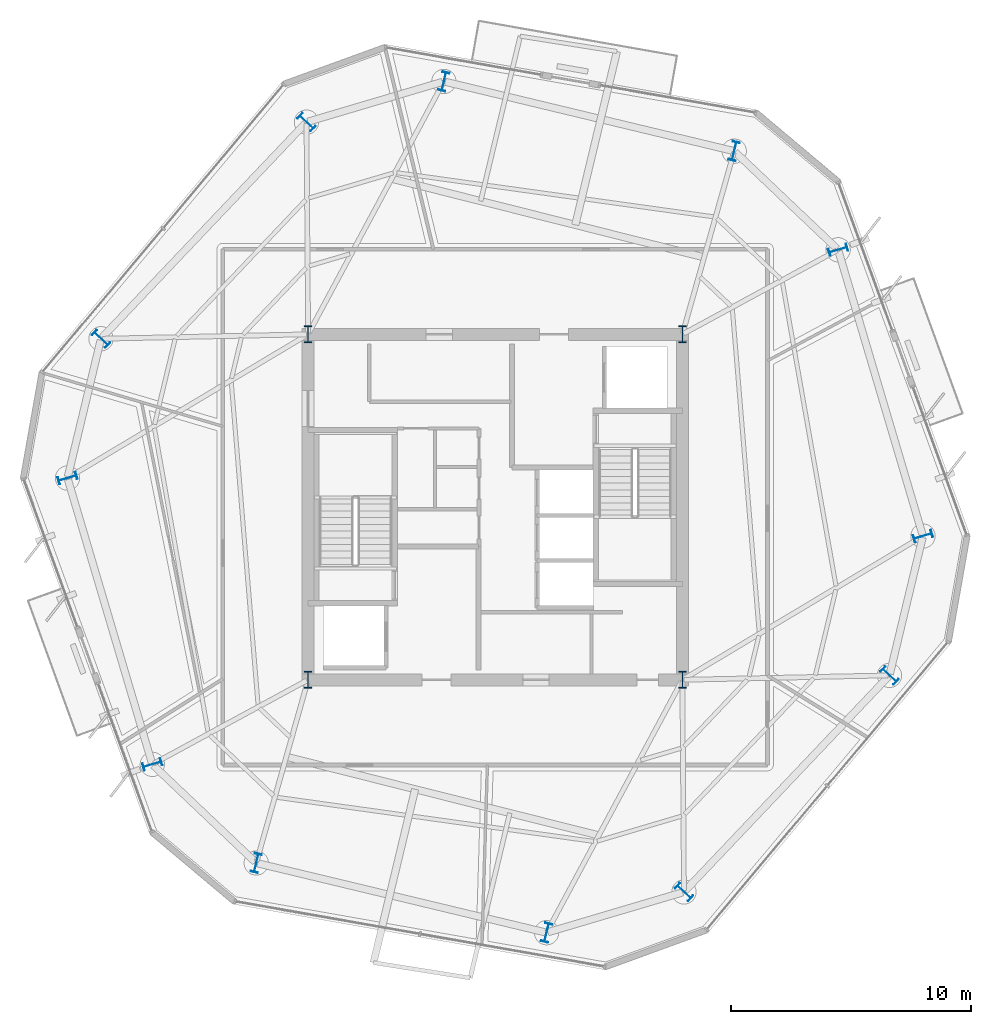
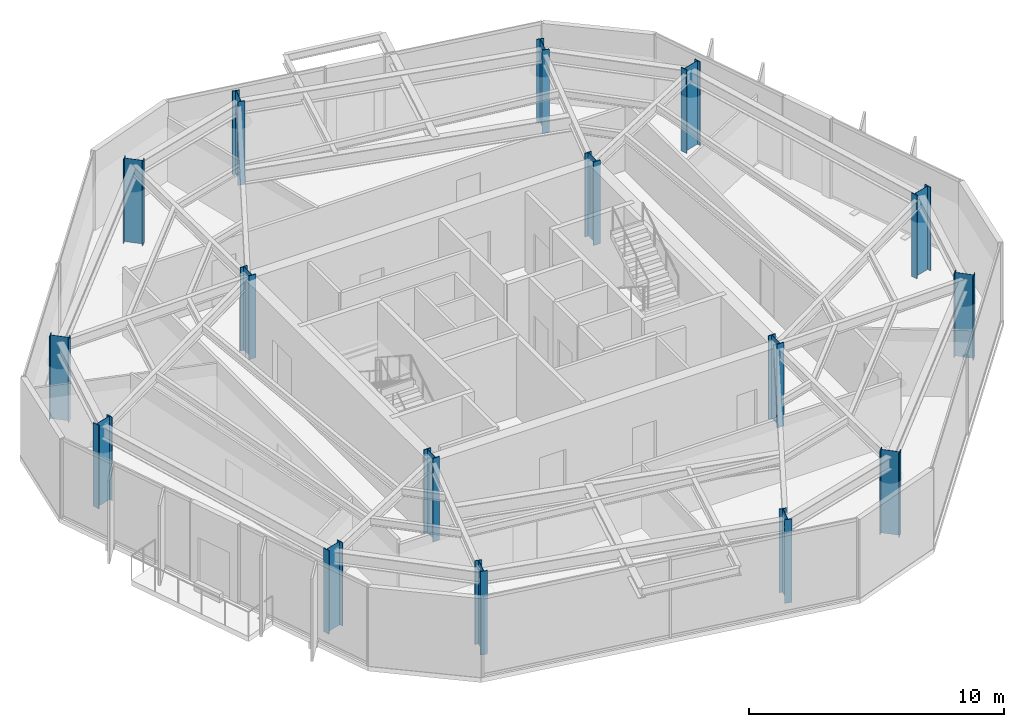
# One storey, part 1 of 11: 16 columns.
"""IFC4 building model written with IfcOpenShell, lengths in metres."""

from ifc_helpers import new_model, si_unit, direction, frame, origin, origin_2d, place, context, subcontext, project, spatial, i_section, extrude, material, material_profile, profile_set, type_object, element, save


model = new_model("IFC4")

# Units and contexts
model_context = context("Model", 3, precision=1e-05, world=origin(), true_north=direction((0.0, 1.0)))
body_context = subcontext(model_context, "Body", "Model", "MODEL_VIEW")
ifc_project = project(units=[si_unit("LENGTHUNIT", "METRE"), si_unit("AREAUNIT", "SQUARE_METRE"), si_unit("VOLUMEUNIT", "CUBIC_METRE"), si_unit("PLANEANGLEUNIT", "RADIAN"), si_unit("MASSUNIT", "GRAM", prefix="KILO")], contexts=[model_context])

# Site, building, storey
site_placement = place(None, origin())
site = spatial("IfcSite", under=ifc_project, at=site_placement, CompositionType="ELEMENT")
building_placement = place(site_placement, origin())
building = spatial("IfcBuilding", under=site, at=building_placement, Name="Kranzbogen Civic Tower", CompositionType="ELEMENT")
storey_placement = place(building_placement, frame((0.0, 0.0, 224.800048828125)))
storey = spatial("IfcBuildingStorey", under=building, at=storey_placement, Name="L54", CompositionType="ELEMENT", Elevation=224.800048828125)

# Columns
ifc_material_1 = material(Name="Steel S355", Category="steel")
ifc_material_profile_1 = material_profile(ifc_material_1, i_section(OverallWidth=0.300048828125, OverallDepth=0.800048828125, WebThickness=0.017578125, FlangeThickness=0.032958984375, at=origin_2d()), Name="HEB 800")
ifc_profile_set_1 = profile_set([ifc_material_profile_1], Name="Steel S355")
column_type_1 = type_object("IfcColumnType", Name="Structural Column HEB 800", PredefinedType="COLUMN", material=ifc_profile_set_1)
for number, where, z_axis, x_axis, name in (
    (1, (34.9609375, 39.8349609375, 0.0), (0.0, 0.0, 1.0), (-0.972369920398, 0.233445363856, 0.0), "L54 tower perimeter tube column 01"),
    (2, (22.860107421875, 42.739990234375, 0.0), (0.0, 0.0, 1.0), (-0.972369920398, 0.233445363856, 0.0), "L54 tower perimeter tube column 02"),
    (3, (17.133056640625, 41.0439453125, 0.0), (0.0, 0.0, 1.0), (0.688354575694, 0.725374371012, 0.0), "L54 tower perimeter tube column 03"),
    (4, (8.56689453125, 32.01611328125, 0.0), (0.0, 0.0, 1.0), (0.688354575694, 0.725374371012, 0.0), "L54 tower perimeter tube column 04"),
    (5, (7.172119140625, 26.208984375, 0.0), (0.0, 0.0, 1.0), (-0.284015344704, 0.958819734868, 0.0), "L54 tower perimeter tube column 05"),
    (6, (10.70703125, 14.27587890625, 0.0), (0.0, 0.0, 1.0), (-0.284015344704, 0.958819734868, 0.0), "L54 tower perimeter tube column 06"),
    (7, (15.0390625, 10.1650390625, 0.0), (0.0, 0.0, 1.0), (-0.972369920398, 0.233445363856, 0.0), "L54 tower perimeter tube column 07"),
    (8, (27.139892578125, 7.260009765625, 0.0), (0.0, 0.0, 1.0), (-0.972369920398, 0.233445363856, 0.0), "L54 tower perimeter tube column 08"),
    (9, (32.866943359375, 8.9560546875, 0.0), (0.0, 0.0, 1.0), (0.688354575694, 0.725374371012, 0.0), "L54 tower perimeter tube column 09"),
    (10, (41.43310546875, 17.98388671875, 0.0), (0.0, 0.0, 1.0), (0.688354575694, 0.725374371012, 0.0), "L54 tower perimeter tube column 10"),
    (11, (42.827880859375, 23.791015625, 0.0), (0.0, 0.0, 1.0), (-0.284015344704, 0.958819734868, 0.0), "L54 tower perimeter tube column 11"),
    (12, (39.29296875, 35.72412109375, 0.0), (0.0, 0.0, 1.0), (-0.284015344704, 0.958819734868, 0.0), "L54 tower perimeter tube column 12"),
):
    element("IfcColumn", number, at=place(storey_placement, frame(where, z_axis=z_axis, x_axis=x_axis)), inside=storey, type_object=column_type_1, Name=name, PredefinedType="COLUMN", context=body_context, shape_type="SweptSolid", body=[
        extrude(i_section(OverallWidth=0.300048828125, OverallDepth=0.800048828125, WebThickness=0.017578125, FlangeThickness=0.032958984375, at=origin_2d()), origin(), (0.0, 0.0, 1.0), 4.0),
    ])
ifc_material_2 = material(Name="Steel S460", Category="steel")
ifc_material_profile_2 = material_profile(ifc_material_2, i_section(OverallWidth=0.303955078125, OverallDepth=0.716064453125, WebThickness=0.02099609375, FlangeThickness=0.0400390625, at=origin_2d()), Name="HEM 700")
ifc_profile_set_2 = profile_set([ifc_material_profile_2], Name="Steel S460")
column_type_2 = type_object("IfcColumnType", Name="Structural Column HEM 700", PredefinedType="COLUMN", material=ifc_profile_set_2)
for number, where, z_axis, x_axis, name in (
    (13, (17.199951171875, 17.800048828125, 0.0), (0.0, 0.0, 1.0), (1.0, 0.0, 0.0), "L54 composite core corner column 1"),
    (14, (32.800048828125, 17.800048828125, 0.0), (0.0, 0.0, 1.0), (1.0, 0.0, 0.0), "L54 composite core corner column 2"),
    (15, (32.800048828125, 32.199951171875, 0.0), (0.0, 0.0, 1.0), (1.0, 0.0, 0.0), "L54 composite core corner column 3"),
    (16, (17.199951171875, 32.199951171875, 0.0), (0.0, 0.0, 1.0), (1.0, 0.0, 0.0), "L54 composite core corner column 4"),
):
    element("IfcColumn", number, at=place(storey_placement, frame(where, z_axis=z_axis, x_axis=x_axis)), inside=storey, type_object=column_type_2, Name=name, PredefinedType="COLUMN", context=body_context, shape_type="SweptSolid", body=[
        extrude(i_section(OverallWidth=0.303955078125, OverallDepth=0.716064453125, WebThickness=0.02099609375, FlangeThickness=0.0400390625, at=origin_2d()), origin(), (0.0, 0.0, 1.0), 4.0),
    ])

save(model, "model.ifc")
